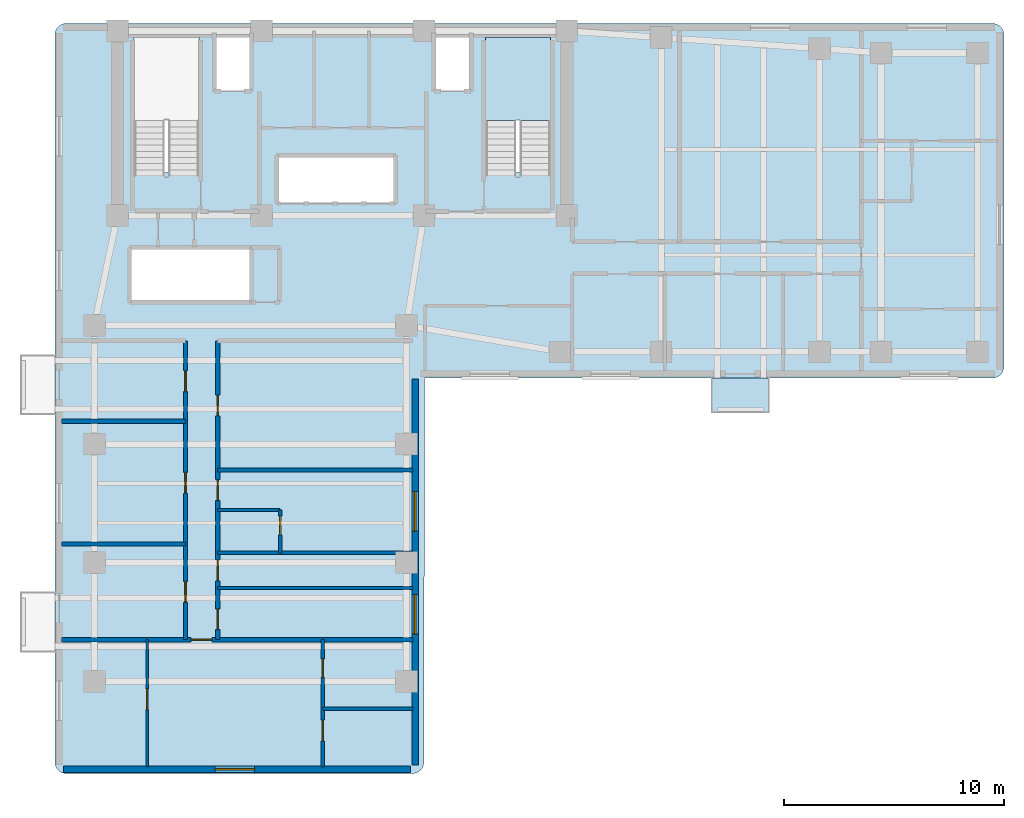
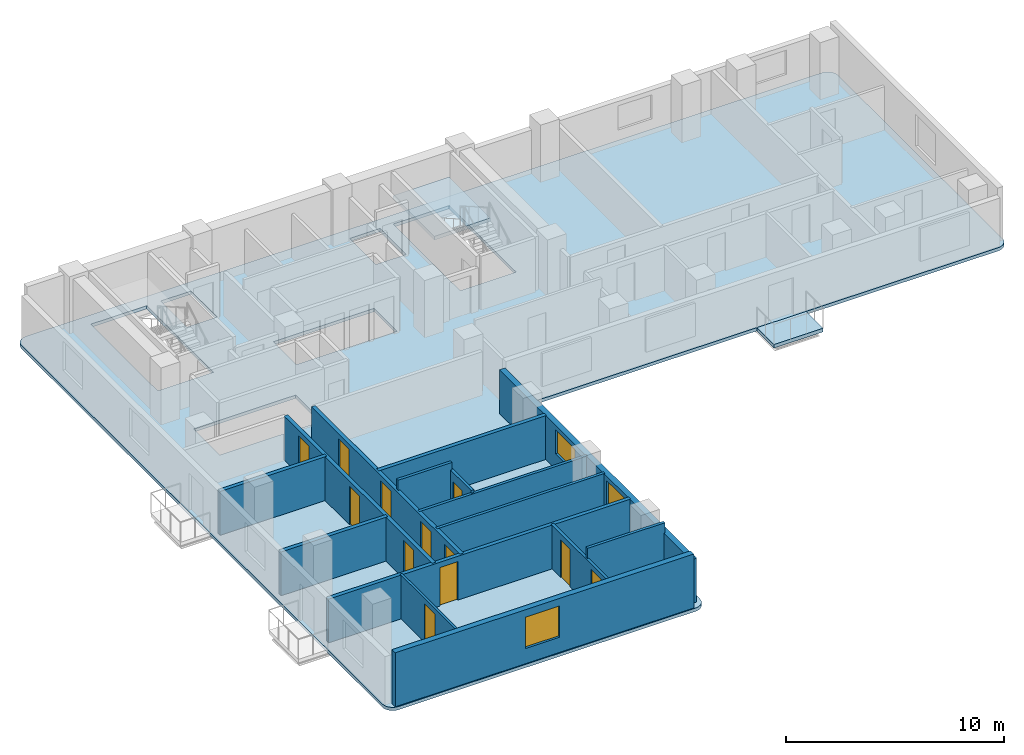
# One storey, part 2 of 7: 15 walls, 12 doors, 3 slabs, 3 windows, 15 openings, 1 element without a shape of its own.
"""IFC4 building model written with IfcOpenShell, lengths in metres."""

import ifcopenshell
import ifcopenshell.guid

model = None  # the IFC model being written
_history = None  # IfcOwnerHistory: only IFC2X3 demands one
_inside = {}  # id of a spatial element -> (the spatial element, [elements in it])
_under = {}  # id of a project, library or spatial element -> (it, [spatial elements below it])
_declared = {}  # id of a project -> (the project, [libraries it declares])
_typed = {}  # id of a type object -> (the type object, [elements of that type])
_made_of = {}  # id of a material, layer set ... -> (it, [elements and type objects made of it])


def new_model(schema):
    """Start an empty IFC model of exactly this schema.

    Asked for "IFC4X3", IfcOpenShell would pick the latest addendum, in which some entities
    have other attributes; the version numbers below select the first issue.
    IFC2X3 requires an IfcOwnerHistory on every rooted entity: one is made here for all.
    """
    global model, _history
    if schema == "IFC4X3":
        model = ifcopenshell.file(schema_version=(4, 3, 0, 0))
    else:
        model = ifcopenshell.file(schema=schema)
    _inside.clear()
    _under.clear()
    _declared.clear()
    _typed.clear()
    _made_of.clear()
    _history = None
    if model.schema == "IFC2X3":
        org = make("IfcOrganization", Name="unknown")
        user = make(
            "IfcPersonAndOrganization",
            ThePerson=make("IfcPerson", FamilyName="unknown"),
            TheOrganization=org,
        )
        app = make(
            "IfcApplication",
            ApplicationDeveloper=org,
            Version="unknown",
            ApplicationFullName="unknown",
            ApplicationIdentifier="unknown",
        )
        _history = make(
            "IfcOwnerHistory",
            OwningUser=user,
            OwningApplication=app,
            ChangeAction="ADDED",
            CreationDate=0,
        )
    return model


def make(cls, **values):
    """One entity of the class cls with the attributes given. An attribute that is None is left unset."""
    return model.create_entity(
        cls, **{name: value for name, value in values.items() if value is not None}
    )


def rooted(cls, **values):
    """An entity with a GlobalId (a new one), such as an element, a storey or a relation."""
    return make(cls, GlobalId=ifcopenshell.guid.new(), OwnerHistory=_history, **values)


def si_unit(unit_type, name, prefix=None):
    """IfcSIUnit, for example si_unit("LENGTHUNIT", "METRE", prefix="MILLI")."""
    return make("IfcSIUnit", UnitType=unit_type, Prefix=prefix, Name=name)


def assignment(units):
    """IfcUnitAssignment: the units of a project."""
    return None if units is None else make("IfcUnitAssignment", Units=units)


def point(xyz):
    """IfcCartesianPoint."""
    return None if xyz is None else make("IfcCartesianPoint", Coordinates=xyz)


def direction(xyz):
    """IfcDirection."""
    return None if xyz is None else make("IfcDirection", DirectionRatios=xyz)


def frame(location, z_axis=None, x_axis=None):
    """IfcAxis2Placement3D, a coordinate frame: its origin and axes. An axis left out is left unset."""
    return make(
        "IfcAxis2Placement3D",
        Location=point(location),
        Axis=direction(z_axis),
        RefDirection=direction(x_axis),
    )


def frame_2d(location, x_axis=None):
    """IfcAxis2Placement2D, a coordinate frame in the plane: its origin and x axis."""
    return make(
        "IfcAxis2Placement2D", Location=point(location), RefDirection=direction(x_axis)
    )


def origin():
    """The frame at (0, 0, 0) with its axes left unset."""
    return frame((0.0, 0.0, 0.0))


def place(relative_to, where):
    """IfcLocalPlacement: puts the frame where relative to a parent placement (None: the world)."""
    return make(
        "IfcLocalPlacement", PlacementRelTo=relative_to, RelativePlacement=where
    )


def context(
    kind, dimensions, precision=None, world=None, true_north=None, identifier=None
):
    """IfcGeometricRepresentationContext, for example the 3D "Model" context."""
    return make(
        "IfcGeometricRepresentationContext",
        ContextIdentifier=identifier,
        ContextType=kind,
        CoordinateSpaceDimension=dimensions,
        Precision=precision,
        WorldCoordinateSystem=world,
        TrueNorth=true_north,
    )


def subcontext(parent, identifier, kind, view, scale=None):
    """IfcGeometricRepresentationSubContext, for example "Body" below "Model"."""
    return make(
        "IfcGeometricRepresentationSubContext",
        ContextIdentifier=identifier,
        ContextType=kind,
        ParentContext=parent,
        TargetScale=scale,
        TargetView=view,
    )


def project(units=None, contexts=None):
    """IfcProject with its units and contexts."""
    return rooted(
        "IfcProject",
        Name="project",
        RepresentationContexts=contexts,
        UnitsInContext=assignment(units),
    )


def spatial(cls, under=None, at=None, **own):
    """A site, building, storey or space (cls), placed at a placement, below another one or the project."""
    s = rooted(cls, ObjectPlacement=at, **own)
    if under is not None:
        _under.setdefault(under.id(), (under, []))[1].append(s)
    return s


def polyline(points):
    """IfcPolyline through the points."""
    return make("IfcPolyline", Points=[point(p) for p in points])


def profile(cls, at=None, kind="AREA", **sizes):
    """A parametric profile (cls). Its sizes go by their IFC names, for example OverallWidth=200.0."""
    return make(cls, ProfileType=kind, Position=at, **sizes)


def rectangle(**sizes):
    """IfcRectangleProfileDef."""
    return profile("IfcRectangleProfileDef", **sizes)


def outline(outer, holes=None, kind="AREA"):
    """IfcArbitraryClosedProfileDef: a profile drawn as a closed curve; with holes, ...WithVoids."""
    if holes is None:
        return make("IfcArbitraryClosedProfileDef", ProfileType=kind, OuterCurve=outer)
    return make(
        "IfcArbitraryProfileDefWithVoids",
        ProfileType=kind,
        OuterCurve=outer,
        InnerCurves=holes,
    )


def extrude(swept, where, along, depth):
    """IfcExtrudedAreaSolid: the profile swept, set in the frame where, extruded along a direction by depth."""
    return make(
        "IfcExtrudedAreaSolid",
        SweptArea=swept,
        Position=where,
        ExtrudedDirection=direction(along),
        Depth=depth,
    )


def shape(context_of_items, identifier, shape_type, items):
    """IfcShapeRepresentation: the items that make up one representation, for example the "Body"."""
    return make(
        "IfcShapeRepresentation",
        ContextOfItems=context_of_items,
        RepresentationIdentifier=identifier,
        RepresentationType=shape_type,
        Items=items,
    )


def material(Name=None, Category=None):
    """IfcMaterial."""
    return make("IfcMaterial", Name=Name, Category=Category)


def layer(
    of_material, thickness, ventilated=None, Name=None, Category=None, Priority=None
):
    """IfcMaterialLayer: one layer of a wall or slab, of a material (None: an air gap)."""
    return make(
        "IfcMaterialLayer",
        Material=of_material,
        LayerThickness=thickness,
        IsVentilated=ventilated,
        Name=Name,
        Category=Category,
        Priority=Priority,
    )


def layer_set(layers, Name=None):
    """IfcMaterialLayerSet."""
    return make("IfcMaterialLayerSet", MaterialLayers=layers, LayerSetName=Name)


def made_of(thing, what):
    """Note that an element or type object is made of a material, layer set ...; save() writes the relation."""
    if what is not None:
        _made_of.setdefault(what.id(), (what, []))[1].append(thing)
    return thing


def type_object(cls, material=None, **own):
    """A type object (cls), such as IfcWallType, which elements share."""
    return made_of(rooted(cls, **own), material)


def element(
    cls,
    number,
    at=None,
    inside=None,
    cuts=None,
    type_object=None,
    material=None,
    context=None,
    identifier="Body",
    shape_type=None,
    held_by="IfcProductDefinitionShape",
    body=None,
    shapes=None,
    **own,
):
    """One element of the class cls, such as IfcWall. Its Tag is "e" and its number.

    at: its placement. inside: the storey or other place that contains it. cuts: it is an
    opening in that element (IfcRelVoidsElement). A single representation is given by context,
    identifier, shape_type and body (its items); several are given by shapes. held_by: the class
    of the entity that holds the representations. save() writes the other relations.
    """
    e = rooted(cls, Tag="e%d" % number, ObjectPlacement=at, **own)
    if body is not None:
        shapes = [shape(context, identifier, shape_type, body)]
    if shapes is not None:
        e.Representation = make(held_by, Representations=shapes)
    if inside is not None:
        _inside.setdefault(inside.id(), (inside, []))[1].append(e)
    if cuts is not None:
        rooted(
            "IfcRelVoidsElement", RelatingBuildingElement=cuts, RelatedOpeningElement=e
        )
    if type_object is not None:
        _typed.setdefault(type_object.id(), (type_object, []))[1].append(e)
    return made_of(e, material)


def fill(opening, filler):
    """IfcRelFillsElement: the door or window that sits in an opening."""
    return rooted(
        "IfcRelFillsElement",
        RelatingOpeningElement=opening,
        RelatedBuildingElement=filler,
    )


def aggregate(whole, parts):
    """IfcRelAggregates: a whole, such as a stair, and the parts it consists of."""
    return rooted("IfcRelAggregates", RelatingObject=whole, RelatedObjects=parts)


def save(model, path):
    """Write the relations noted so far, then the file.

    IfcRelAggregates (storeys below a building ...), IfcRelContainedInSpatialStructure (elements
    in a storey), IfcRelDefinesByType, IfcRelAssociatesMaterial and IfcRelDeclares: one each for
    every whole, place, type object, material and project.
    """
    for whole, parts in _under.values():
        aggregate(whole, parts)
    for where, things in _inside.values():
        rooted(
            "IfcRelContainedInSpatialStructure",
            RelatedElements=things,
            RelatingStructure=where,
        )
    for kind, things in _typed.values():
        rooted("IfcRelDefinesByType", RelatedObjects=things, RelatingType=kind)
    for what, things in _made_of.values():
        rooted("IfcRelAssociatesMaterial", RelatedObjects=things, RelatingMaterial=what)
    for by, libraries in _declared.values():
        rooted("IfcRelDeclares", RelatingContext=by, RelatedDefinitions=libraries)
    model.write(path)


model = new_model("IFC4")

# Units and contexts
model_context = context("Model", 3, precision=1e-05, world=origin(), true_north=direction((0.0, 1.0)))
body_context = subcontext(model_context, "Body", "Model", "MODEL_VIEW")
ifc_project = project(units=[si_unit("LENGTHUNIT", "METRE"), si_unit("AREAUNIT", "SQUARE_METRE"), si_unit("VOLUMEUNIT", "CUBIC_METRE"), si_unit("PLANEANGLEUNIT", "RADIAN"), si_unit("MASSUNIT", "GRAM", prefix="KILO")], contexts=[model_context])

# Site, building, storey
site_placement = place(None, origin())
site = spatial("IfcSite", under=ifc_project, at=site_placement, CompositionType="ELEMENT")
building_placement = place(site_placement, origin())
building = spatial("IfcBuilding", under=site, at=building_placement, Name="Kuzgunbayir Cultural Tower", CompositionType="ELEMENT")
storey_placement = place(building_placement, frame((0.0, 0.0, 142.60009765625)))
storey = spatial("IfcBuildingStorey", under=building, at=storey_placement, Name="L41", CompositionType="ELEMENT", Elevation=142.60009765625)

# Slab
ifc_material_1 = material(Name="Concrete C40/50", Category="concrete")
ifc_layer_1 = layer(ifc_material_1, 0.199951171875)
ifc_layer_set_1 = layer_set([ifc_layer_1], Name="Concrete C40/50")
slab_type_1 = type_object("IfcSlabType", Name="SLB-BAL-STONE", PredefinedType="FLOOR", material=ifc_layer_set_1)
slab_1_placement = place(storey_placement, frame((0.0, 0.0, -0.2001953125)))
element("IfcSlab", 1, at=slab_1_placement, inside=storey, type_object=slab_type_1, Name="L41 Projecting Limestone Balcony BAL-L41-WB2", PredefinedType="FLOOR", context=body_context, shape_type="SweptSolid", body=[
    extrude(outline(polyline([(33.5, 24.840087890625), (36.10009765625, 24.840087890625), (36.10009765625, 26.39990234375), (33.5, 26.39990234375), (33.5, 24.840087890625)])), origin(), (0.0, 0.0, 1.0), 0.2001953125),
])

# Stair, slab
stair_type = type_object("IfcStairType", Name="STR-EXIT-CORE", PredefinedType="HALF_TURN_STAIR", material=ifc_material_1)
stair_placement = place(storey_placement, origin())
stair = element("IfcStair", 2, at=stair_placement, inside=storey, type_object=stair_type, Name="L41 ST-2", PredefinedType="HALF_TURN_STAIR")
ifc_layer_2 = layer(ifc_material_1, 0.179931640625)
ifc_layer_set_2 = layer_set([ifc_layer_2], Name="Concrete C40/50")
slab_type_2 = type_object("IfcSlabType", Name="SLB-LANDING-180", PredefinedType="LANDING", material=ifc_layer_set_2)
slab_2_placement = place(storey_placement, frame((0.0, 0.0, 1.39990234375)))
slab_2 = element("IfcSlab", 3, at=slab_2_placement, type_object=slab_type_2, Name="ST-2 landing 1", PredefinedType="LANDING", context=body_context, shape_type="SweptSolid", body=[
    extrude(outline(polyline([(26.159912109375, 38.1201171875), (26.159912109375, 41.89990234375), (23.199951171875, 41.89990234375), (23.199951171875, 38.1201171875), (26.159912109375, 38.1201171875)])), origin(), (0.0, 0.0, 1.0), 0.199951171875),
])
aggregate(stair, [slab_2])

# Slab
ifc_layer_3 = layer(ifc_material_1, 0.179931640625)
ifc_layer_set_3 = layer_set([ifc_layer_3], Name="Concrete C40/50")
slab_type_3 = type_object("IfcSlabType", Name="SLB-TYP-180", PredefinedType="FLOOR", material=ifc_layer_set_3)
slab_3_placement = place(storey_placement, frame((0.0, 0.0, -0.18017578125)))
element("IfcSlab", 4, at=slab_3_placement, inside=storey, type_object=slab_type_3, Name="L41 Tower 1 Floor Slab T1-MAIN", PredefinedType="FLOOR", context=body_context, shape_type="SweptSolid", body=[
    extrude(outline(polyline([(20.39990234375, 8.949951171875), (20.389892578125, 8.840087890625), (20.360107421875, 8.739990234375), (20.31005859375, 8.639892578125), (20.239990234375, 8.56005859375), (20.159912109375, 8.489990234375), (20.06005859375, 8.43994140625), (19.9599609375, 8.409912109375), (19.85009765625, 8.39990234375), (4.14990234375, 8.39990234375), (4.0400390625, 8.409912109375), (3.93994140625, 8.43994140625), (3.840087890625, 8.489990234375), (3.760009765625, 8.56005859375), (3.68994140625, 8.639892578125), (3.639892578125, 8.739990234375), (3.610107421875, 8.840087890625), (3.60009765625, 8.949951171875), (3.60009765625, 42.0), (3.610107421875, 42.110107421875), (3.639892578125, 42.2099609375), (3.68994140625, 42.31005859375), (3.760009765625, 42.389892578125), (3.840087890625, 42.4599609375), (3.93994140625, 42.510009765625), (4.0400390625, 42.5400390625), (4.14990234375, 42.550048828125), (46.25, 42.550048828125), (46.360107421875, 42.5400390625), (46.4599609375, 42.510009765625), (46.56005859375, 42.4599609375), (46.639892578125, 42.389892578125), (46.7099609375, 42.31005859375), (46.760009765625, 42.2099609375), (46.7900390625, 42.110107421875), (46.800048828125, 42.0), (46.800048828125, 26.949951171875), (46.7900390625, 26.840087890625), (46.760009765625, 26.739990234375), (46.7099609375, 26.639892578125), (46.639892578125, 26.56005859375), (46.56005859375, 26.489990234375), (46.4599609375, 26.43994140625), (46.360107421875, 26.409912109375), (46.25, 26.39990234375), (20.429931640625, 26.39990234375), (20.39990234375, 8.949951171875)]), holes=[polyline([(7.199951171875, 35.760009765625), (7.199951171875, 41.89990234375), (10.159912109375, 41.89990234375), (10.159912109375, 35.760009765625), (7.199951171875, 35.760009765625)]), polyline([(23.199951171875, 35.760009765625), (23.199951171875, 41.89990234375), (26.159912109375, 41.89990234375), (26.159912109375, 35.760009765625), (23.199951171875, 35.760009765625)]), polyline([(13.75, 34.39990234375), (13.75, 36.5), (19.080078125, 36.5), (19.080078125, 34.39990234375), (13.75, 34.39990234375)]), polyline([(7.10009765625, 29.89990234375), (7.10009765625, 32.300048828125), (12.5, 32.300048828125), (12.5, 29.89990234375), (7.10009765625, 29.89990234375)]), polyline([(10.89990234375, 39.5), (10.89990234375, 41.89990234375), (12.5, 41.89990234375), (12.5, 39.5), (10.89990234375, 39.5)]), polyline([(20.89990234375, 39.5), (20.89990234375, 41.89990234375), (22.5, 41.89990234375), (22.5, 39.5), (20.89990234375, 39.5)])]), origin(), (0.0, 0.0, 1.0), 0.18017578125),
])

# Wall, opening, window
ifc_material_2 = material(Name="Anatolian Cream Limestone", Category="masonry")
ifc_layer_4 = layer(ifc_material_2, 0.300048828125)
ifc_layer_set_4 = layer_set([ifc_layer_4], Name="Anatolian Cream Limestone")
wall_type_1 = type_object("IfcWallType", Name="WAL-EXT-STONE-300", PredefinedType="STANDARD", material=ifc_layer_set_4)
wall_1_placement = place(storey_placement, frame((4.0, 8.60009765625, 0.0), z_axis=(0.0, 0.0, 1.0), x_axis=(1.0, 0.0, 0.0)))
wall_1 = element("IfcWall", 5, at=wall_1_placement, inside=storey, type_object=wall_type_1, Name="L41 Wing A South Limestone Wall", PredefinedType="STANDARD", context=body_context, shape_type="SweptSolid", body=[
    extrude(rectangle(XDim=15.800048828125, YDim=0.300048828125, at=frame_2d((7.89990234375, 0.0))), origin(), (0.0, 0.0, 1.0), 3.02001953125),
])
opening_1_placement = place(wall_1_placement, frame((6.89990234375, 0.0, 0.85009765625)))
opening_1 = element("IfcOpeningElement", 6, at=opening_1_placement, cuts=wall_1, Name="Opening WH-18", PredefinedType="OPENING", context=body_context, shape_type="SweptSolid", body=[
    extrude(rectangle(XDim=1.800048828125, YDim=1.75, at=frame_2d((0.89990234375, 0.875))), frame((0.0, 0.16015625, 0.0), z_axis=(0.0, -1.0, 0.0), x_axis=(1.0, 0.0, 0.0)), (0.0, 0.0, 1.0), 0.320068359375),
])
ifc_material_3 = material(Name="Solar-Control Triple Glazing", Category="glass")
window_type = type_object("IfcWindowType", Name="WIN-HOTEL-18", PartitioningType="SINGLE_PANEL", PredefinedType="WINDOW", material=ifc_material_3)
window_1_placement = place(opening_1_placement, origin())
window_1 = element("IfcWindow", 7, at=window_1_placement, inside=storey, type_object=window_type, Name="L41 WAS Facade Window 2", OverallHeight=1.75, OverallWidth=1.800048828125, PartitioningType="SINGLE_PANEL", PredefinedType="WINDOW", context=body_context, shape_type="SweptSolid", body=[
    extrude(rectangle(XDim=1.800048828125, YDim=1.75, at=frame_2d((0.89990234375, 0.875))), frame((0.0, 0.030029296875, 0.0), z_axis=(0.0, -1.0, 0.0), x_axis=(1.0, 0.0, 0.0)), (0.0, 0.0, 1.0), 0.06005859375),
])
fill(opening_1, window_1)

# Wall, openings, windows
wall_2_placement = place(storey_placement, frame((20.0, 8.800048828125, 0.0), z_axis=(0.0, 0.0, 1.0), x_axis=(0.0, 1.0, 0.0)))
wall_2 = element("IfcWall", 8, at=wall_2_placement, inside=storey, type_object=wall_type_1, Name="L41 Wing A East Limestone Wall", PredefinedType="STANDARD", context=body_context, shape_type="SweptSolid", body=[
    extrude(rectangle(XDim=17.550048828125, YDim=0.300048828125, at=frame_2d((8.77490234375, 0.0))), origin(), (0.0, 0.0, 1.0), 2.449951171875),
])
opening_2_placement = place(wall_2_placement, frame((10.639892578125, 0.0, 0.85009765625)))
opening_2 = element("IfcOpeningElement", 9, at=opening_2_placement, cuts=wall_2, Name="Opening WH-18", PredefinedType="OPENING", context=body_context, shape_type="SweptSolid", body=[
    extrude(rectangle(XDim=1.800048828125, YDim=1.35009765625, at=frame_2d((0.89990234375, 0.675048828125))), frame((0.0, 0.16015625, 0.0), z_axis=(0.0, -1.0, 0.0), x_axis=(1.0, 0.0, 0.0)), (0.0, 0.0, 1.0), 0.320068359375),
])
opening_3_placement = place(wall_2_placement, frame((5.949951171875, 0.0, 0.85009765625)))
opening_3 = element("IfcOpeningElement", 10, at=opening_3_placement, cuts=wall_2, Name="Opening WH-18", PredefinedType="OPENING", context=body_context, shape_type="SweptSolid", body=[
    extrude(rectangle(XDim=1.800048828125, YDim=1.35009765625, at=frame_2d((0.89990234375, 0.675048828125))), frame((0.0, 0.16015625, 0.0), z_axis=(0.0, -1.0, 0.0), x_axis=(1.0, 0.0, 0.0)), (0.0, 0.0, 1.0), 0.320068359375),
])
window_2_placement = place(opening_2_placement, origin())
window_2 = element("IfcWindow", 11, at=window_2_placement, inside=storey, type_object=window_type, Name="L41 WAE Facade Window 3", OverallHeight=1.35009765625, OverallWidth=1.800048828125, PartitioningType="SINGLE_PANEL", PredefinedType="WINDOW", context=body_context, shape_type="SweptSolid", body=[
    extrude(rectangle(XDim=1.800048828125, YDim=1.35009765625, at=frame_2d((0.89990234375, 0.675048828125))), frame((0.0, 0.030029296875, 0.0), z_axis=(0.0, -1.0, 0.0), x_axis=(1.0, 0.0, 0.0)), (0.0, 0.0, 1.0), 0.06005859375),
])
fill(opening_2, window_2)
window_3_placement = place(opening_3_placement, origin())
window_3 = element("IfcWindow", 12, at=window_3_placement, inside=storey, type_object=window_type, Name="L41 WAE Facade Window 10", OverallHeight=1.35009765625, OverallWidth=1.800048828125, PartitioningType="SINGLE_PANEL", PredefinedType="WINDOW", context=body_context, shape_type="SweptSolid", body=[
    extrude(rectangle(XDim=1.800048828125, YDim=1.35009765625, at=frame_2d((0.89990234375, 0.675048828125))), frame((0.0, 0.030029296875, 0.0), z_axis=(0.0, -1.0, 0.0), x_axis=(1.0, 0.0, 0.0)), (0.0, 0.0, 1.0), 0.06005859375),
])
fill(opening_3, window_3)

# Wall
ifc_material_4 = material(Name="Acoustic Double-Stud Drywall", Category="gypsum")
ifc_layer_5 = layer(ifc_material_4, 0.14990234375)
ifc_layer_set_5 = layer_set([ifc_layer_5], Name="Acoustic Double-Stud Drywall")
wall_type_2 = type_object("IfcWallType", Name="WAL-PART-ACOUSTIC-150", PredefinedType="PARTITIONING", material=ifc_layer_set_5)
wall_3_placement = place(storey_placement, frame((11.010009765625, 16.85009765625, 0.0), z_axis=(0.0, 0.0, 1.0), x_axis=(1.0, 0.0, 0.0)))
element("IfcWall", 13, at=wall_3_placement, inside=storey, type_object=wall_type_2, Name="L41 Housekeeping North Wall", PredefinedType="PARTITIONING", context=body_context, shape_type="SweptSolid", body=[
    extrude(rectangle(XDim=8.889892578125, YDim=0.14990234375, at=frame_2d((4.44482421875, 0.0))), origin(), (0.0, 0.0, 1.0), 2.449951171875),
])

# Wall, openings, doors
ifc_material_5 = material(Name="Aerated Concrete Blockwork", Category="masonry")
ifc_layer_6 = layer(ifc_material_5, 0.199951171875)
ifc_layer_set_6 = layer_set([ifc_layer_6], Name="Aerated Concrete Blockwork")
wall_type_3 = type_object("IfcWallType", Name="WAL-PART-FIRE-200", PredefinedType="PARTITIONING", material=ifc_layer_set_6)
wall_4_placement = place(storey_placement, frame((9.550048828125, 14.5, 0.0), z_axis=(0.0, 0.0, 1.0), x_axis=(0.0, 1.0, 0.0)))
wall_4 = element("IfcWall", 14, at=wall_4_placement, inside=storey, type_object=wall_type_3, Name="L41 Wing A West Corridor Wall", PredefinedType="PARTITIONING", context=body_context, shape_type="SweptSolid", body=[
    extrude(rectangle(XDim=13.60009765625, YDim=0.199951171875, at=frame_2d((6.800048828125, 0.0))), origin(), (0.0, 0.0, 1.0), 2.449951171875),
])
opening_4_placement = place(wall_4_placement, frame((1.699951171875, 0.0, 0.0)))
opening_4 = element("IfcOpeningElement", 15, at=opening_4_placement, cuts=wall_4, Name="Opening DI-90", PredefinedType="OPENING", context=body_context, shape_type="SweptSolid", body=[
    extrude(rectangle(XDim=0.949951171875, YDim=2.14990234375, at=frame_2d((0.47509765625, 1.074951171875))), frame((0.0, 0.10986328125, 0.0), z_axis=(0.0, -1.0, 0.0), x_axis=(1.0, 0.0, 0.0)), (0.0, 0.0, 1.0), 0.219970703125),
])
opening_5_placement = place(wall_4_placement, frame((6.659912109375, 0.0, 0.0)))
opening_5 = element("IfcOpeningElement", 16, at=opening_5_placement, cuts=wall_4, Name="Opening DI-90", PredefinedType="OPENING", context=body_context, shape_type="SweptSolid", body=[
    extrude(rectangle(XDim=0.949951171875, YDim=2.14990234375, at=frame_2d((0.47509765625, 1.074951171875))), frame((0.0, 0.10986328125, 0.0), z_axis=(0.0, -1.0, 0.0), x_axis=(1.0, 0.0, 0.0)), (0.0, 0.0, 1.0), 0.219970703125),
])
opening_6_placement = place(wall_4_placement, frame((11.2900390625, 0.0, 0.0)))
opening_6 = element("IfcOpeningElement", 17, at=opening_6_placement, cuts=wall_4, Name="Opening DI-90", PredefinedType="OPENING", context=body_context, shape_type="SweptSolid", body=[
    extrude(rectangle(XDim=0.949951171875, YDim=2.14990234375, at=frame_2d((0.47509765625, 1.074951171875))), frame((0.0, 0.10986328125, 0.0), z_axis=(0.0, -1.0, 0.0), x_axis=(1.0, 0.0, 0.0)), (0.0, 0.0, 1.0), 0.219970703125),
])
ifc_material_6 = material(Name="Veneered Oak Single Leaf", Category="wood")
door_type_1 = type_object("IfcDoorType", Name="DR-INT-90", OperationType="NOTDEFINED", PredefinedType="DOOR", material=ifc_material_6)
door_1_placement = place(opening_4_placement, origin())
door_1 = element("IfcDoor", 18, at=door_1_placement, inside=storey, type_object=door_type_1, Name="L41 Fellows Reading Lounge 1 Door", OperationType="SINGLE_SWING_RIGHT", OverallHeight=2.14990234375, OverallWidth=0.949951171875, PredefinedType="DOOR", context=body_context, shape_type="SweptSolid", body=[
    extrude(rectangle(XDim=0.949951171875, YDim=2.14990234375, at=frame_2d((0.47509765625, 1.074951171875))), frame((0.0, 0.02490234375, 0.0), z_axis=(0.0, -1.0, 0.0), x_axis=(1.0, 0.0, 0.0)), (0.0, 0.0, 1.0), 0.050048828125),
])
fill(opening_4, door_1)
door_2_placement = place(opening_5_placement, origin())
door_2 = element("IfcDoor", 19, at=door_2_placement, inside=storey, type_object=door_type_1, Name="L41 Fellows Reading Lounge 2 Door", OperationType="SINGLE_SWING_LEFT", OverallHeight=2.14990234375, OverallWidth=0.949951171875, PredefinedType="DOOR", context=body_context, shape_type="SweptSolid", body=[
    extrude(rectangle(XDim=0.949951171875, YDim=2.14990234375, at=frame_2d((0.47509765625, 1.074951171875))), frame((0.0, 0.02490234375, 0.0), z_axis=(0.0, -1.0, 0.0), x_axis=(1.0, 0.0, 0.0)), (0.0, 0.0, 1.0), 0.050048828125),
])
fill(opening_5, door_2)
door_3_placement = place(opening_6_placement, origin())
door_3 = element("IfcDoor", 20, at=door_3_placement, inside=storey, type_object=door_type_1, Name="L41 Fellows Reading Lounge 3 Door", OperationType="SINGLE_SWING_RIGHT", OverallHeight=2.14990234375, OverallWidth=0.949951171875, PredefinedType="DOOR", context=body_context, shape_type="SweptSolid", body=[
    extrude(rectangle(XDim=0.949951171875, YDim=2.14990234375, at=frame_2d((0.47509765625, 1.074951171875))), frame((0.0, 0.02490234375, 0.0), z_axis=(0.0, -1.0, 0.0), x_axis=(1.0, 0.0, 0.0)), (0.0, 0.0, 1.0), 0.050048828125),
])
fill(opening_6, door_3)

wall_5_placement = place(storey_placement, frame((11.010009765625, 14.5, 0.0), z_axis=(0.0, 0.0, 1.0), x_axis=(0.0, 1.0, 0.0)))
wall_5 = element("IfcWall", 21, at=wall_5_placement, inside=storey, type_object=wall_type_3, Name="L41 Wing A East Corridor Wall", PredefinedType="PARTITIONING", context=body_context, shape_type="SweptSolid", body=[
    extrude(rectangle(XDim=13.60009765625, YDim=0.199951171875, at=frame_2d((6.800048828125, 0.0))), origin(), (0.0, 0.0, 1.0), 2.449951171875),
])
opening_7_placement = place(wall_5_placement, frame((0.449951171875, 0.0, 0.0)))
opening_7 = element("IfcOpeningElement", 22, at=opening_7_placement, cuts=wall_5, Name="Opening DI-90", PredefinedType="OPENING", context=body_context, shape_type="SweptSolid", body=[
    extrude(rectangle(XDim=0.949951171875, YDim=2.14990234375, at=frame_2d((0.47509765625, 1.074951171875))), frame((0.0, 0.10986328125, 0.0), z_axis=(0.0, -1.0, 0.0), x_axis=(1.0, 0.0, 0.0)), (0.0, 0.0, 1.0), 0.219970703125),
])
opening_8_placement = place(wall_5_placement, frame((2.669921875, 0.0, 0.0)))
opening_8 = element("IfcOpeningElement", 23, at=opening_8_placement, cuts=wall_5, Name="Opening DW-95", PredefinedType="OPENING", context=body_context, shape_type="SweptSolid", body=[
    extrude(rectangle(XDim=0.949951171875, YDim=2.10009765625, at=frame_2d((0.47509765625, 1.050048828125))), frame((0.0, 0.10986328125, 0.0), z_axis=(0.0, -1.0, 0.0), x_axis=(1.0, 0.0, 0.0)), (0.0, 0.0, 1.0), 0.219970703125),
])
opening_9_placement = place(wall_5_placement, frame((10.179931640625, 0.0, 0.0)))
opening_9 = element("IfcOpeningElement", 24, at=opening_9_placement, cuts=wall_5, Name="Opening DI-90", PredefinedType="OPENING", context=body_context, shape_type="SweptSolid", body=[
    extrude(rectangle(XDim=0.949951171875, YDim=2.14990234375, at=frame_2d((0.47509765625, 1.074951171875))), frame((0.0, 0.10986328125, 0.0), z_axis=(0.0, -1.0, 0.0), x_axis=(1.0, 0.0, 0.0)), (0.0, 0.0, 1.0), 0.219970703125),
])
opening_10_placement = place(wall_5_placement, frame((6.330078125, 0.0, 0.0)))
opening_10 = element("IfcOpeningElement", 25, at=opening_10_placement, cuts=wall_5, Name="Opening DR-APT-60", PredefinedType="OPENING", context=body_context, shape_type="SweptSolid", body=[
    extrude(rectangle(XDim=0.949951171875, YDim=2.14990234375, at=frame_2d((0.47509765625, 1.074951171875))), frame((0.0, 0.10986328125, 0.0), z_axis=(0.0, -1.0, 0.0), x_axis=(1.0, 0.0, 0.0)), (0.0, 0.0, 1.0), 0.219970703125),
])
ifc_material_7 = material(Name="Acoustic Fire Timber Leaf", Category="wood")
door_type_2 = type_object("IfcDoorType", Name="DR-APT-60", OperationType="NOTDEFINED", PredefinedType="DOOR", material=ifc_material_7)
door_4_placement = place(opening_10_placement, origin())
door_4 = element("IfcDoor", 26, at=door_4_placement, inside=storey, type_object=door_type_2, Name="L41 Guest Suite E1 Entrance", OperationType="SINGLE_SWING_LEFT", OverallHeight=2.14990234375, OverallWidth=0.949951171875, PredefinedType="DOOR", context=body_context, shape_type="SweptSolid", body=[
    extrude(rectangle(XDim=0.949951171875, YDim=2.14990234375, at=frame_2d((0.47509765625, 1.074951171875))), frame((0.0, 0.02490234375, 0.0), z_axis=(0.0, -1.0, 0.0), x_axis=(1.0, 0.0, 0.0)), (0.0, 0.0, 1.0), 0.050048828125),
])
fill(opening_10, door_4)
door_5_placement = place(opening_7_placement, origin())
door_5 = element("IfcDoor", 27, at=door_5_placement, inside=storey, type_object=door_type_1, Name="L41 Housekeeping Room Door", OperationType="SINGLE_SWING_LEFT", OverallHeight=2.14990234375, OverallWidth=0.949951171875, PredefinedType="DOOR", context=body_context, shape_type="SweptSolid", body=[
    extrude(rectangle(XDim=0.949951171875, YDim=2.14990234375, at=frame_2d((0.47509765625, 1.074951171875))), frame((0.0, 0.02490234375, 0.0), z_axis=(0.0, -1.0, 0.0), x_axis=(1.0, 0.0, 0.0)), (0.0, 0.0, 1.0), 0.050048828125),
])
fill(opening_7, door_5)
door_6_placement = place(opening_9_placement, origin())
door_6 = element("IfcDoor", 28, at=door_6_placement, inside=storey, type_object=door_type_1, Name="L41 Fellows Reading Lounge E1 Door", OperationType="SINGLE_SWING_LEFT", OverallHeight=2.14990234375, OverallWidth=0.949951171875, PredefinedType="DOOR", context=body_context, shape_type="SweptSolid", body=[
    extrude(rectangle(XDim=0.949951171875, YDim=2.14990234375, at=frame_2d((0.47509765625, 1.074951171875))), frame((0.0, 0.02490234375, 0.0), z_axis=(0.0, -1.0, 0.0), x_axis=(1.0, 0.0, 0.0)), (0.0, 0.0, 1.0), 0.050048828125),
])
fill(opening_9, door_6)
ifc_material_8 = material(Name="Laminate Moisture-Resistant Leaf", Category="wood")
door_type_3 = type_object("IfcDoorType", Name="DR-WET-95", OperationType="NOTDEFINED", PredefinedType="DOOR", material=ifc_material_8)
door_7_placement = place(opening_8_placement, origin())
door_7 = element("IfcDoor", 29, at=door_7_placement, inside=storey, type_object=door_type_3, Name="L41 Accessible WC Door", OperationType="SINGLE_SWING_RIGHT", OverallHeight=2.10009765625, OverallWidth=0.949951171875, PredefinedType="DOOR", context=body_context, shape_type="SweptSolid", body=[
    extrude(rectangle(XDim=0.949951171875, YDim=2.10009765625, at=frame_2d((0.47509765625, 1.050048828125))), frame((0.0, 0.02490234375, 0.0), z_axis=(0.0, -1.0, 0.0), x_axis=(1.0, 0.0, 0.0)), (0.0, 0.0, 1.0), 0.050048828125),
])
fill(opening_8, door_7)

# Wall, opening, door
wall_6_placement = place(storey_placement, frame((3.89990234375, 14.5, 0.0), z_axis=(0.0, 0.0, 1.0), x_axis=(1.0, 0.0, 0.0)))
wall_6 = element("IfcWall", 30, at=wall_6_placement, inside=storey, type_object=wall_type_3, Name="L41 South Cross Partition", PredefinedType="PARTITIONING", context=body_context, shape_type="SweptSolid", body=[
    extrude(rectangle(XDim=16.0, YDim=0.199951171875, at=frame_2d((8.0, 0.0))), origin(), (0.0, 0.0, 1.0), 2.449951171875),
])
opening_11_placement = place(wall_6_placement, frame((5.89990234375, 0.0, 0.0)))
opening_11 = element("IfcOpeningElement", 31, at=opening_11_placement, cuts=wall_6, Name="Opening DR-APT-60", PredefinedType="OPENING", context=body_context, shape_type="SweptSolid", body=[
    extrude(rectangle(XDim=0.949951171875, YDim=2.14990234375, at=frame_2d((0.47509765625, 1.074951171875))), frame((0.0, 0.10986328125, 0.0), z_axis=(0.0, -1.0, 0.0), x_axis=(1.0, 0.0, 0.0)), (0.0, 0.0, 1.0), 0.219970703125),
])
door_8_placement = place(opening_11_placement, origin())
door_8 = element("IfcDoor", 32, at=door_8_placement, inside=storey, type_object=door_type_2, Name="L41 Diplomatic Suite Entrance", OperationType="SINGLE_SWING_LEFT", OverallHeight=2.14990234375, OverallWidth=0.949951171875, PredefinedType="DOOR", context=body_context, shape_type="SweptSolid", body=[
    extrude(rectangle(XDim=0.949951171875, YDim=2.14990234375, at=frame_2d((0.47509765625, 1.074951171875))), frame((0.0, 0.02490234375, 0.0), z_axis=(0.0, -1.0, 0.0), x_axis=(1.0, 0.0, 0.0)), (0.0, 0.0, 1.0), 0.050048828125),
])
fill(opening_11, door_8)

# Walls
for number, where, z_axis, x_axis, name in (
    (33, (3.89990234375, 18.85009765625, 0.0), (0.0, 0.0, 1.0), (1.0, 0.0, 0.0), "L41 West Party Wall 1"),
    (34, (3.89990234375, 24.429931640625, 0.0), (0.0, 0.0, 1.0), (1.0, 0.0, 0.0), "L41 West Party Wall 2"),
):
    element("IfcWall", number, at=place(storey_placement, frame(where, z_axis=z_axis, x_axis=x_axis)), inside=storey, type_object=wall_type_3, Name=name, PredefinedType="PARTITIONING", context=body_context, shape_type="SweptSolid", body=[
        extrude(rectangle(XDim=5.650146484375, YDim=0.199951171875, at=frame_2d((2.8251953125, 0.0))), origin(), (0.0, 0.0, 1.0), 2.449951171875),
    ])
wall_7_placement = place(storey_placement, frame((11.010009765625, 22.219970703125, 0.0), z_axis=(0.0, 0.0, 1.0), x_axis=(1.0, 0.0, 0.0)))
element("IfcWall", 35, at=wall_7_placement, inside=storey, type_object=wall_type_3, Name="L41 Suite E1 Sub-Party Wall", PredefinedType="PARTITIONING", context=body_context, shape_type="SweptSolid", body=[
    extrude(rectangle(XDim=8.889892578125, YDim=0.199951171875, at=frame_2d((4.44482421875, 0.0))), origin(), (0.0, 0.0, 1.0), 2.449951171875),
])

# Wall, opening, door
ifc_material_9 = material(Name="Framed Gypsum Partition", Category="gypsum")
ifc_layer_7 = layer(ifc_material_9, 0.1201171875)
ifc_layer_set_7 = layer_set([ifc_layer_7], Name="Framed Gypsum Partition")
wall_type_4 = type_object("IfcWallType", Name="WAL-PART-INT-120", PredefinedType="PARTITIONING", material=ifc_layer_set_7)
wall_8_placement = place(storey_placement, frame((7.800048828125, 8.699951171875, 0.0), z_axis=(0.0, 0.0, 1.0), x_axis=(0.0, 1.0, 0.0)))
wall_8 = element("IfcWall", 36, at=wall_8_placement, inside=storey, type_object=wall_type_4, Name="L41 Diplomatic Suite Bedroom Wall", PredefinedType="PARTITIONING", context=body_context, shape_type="SweptSolid", body=[
    extrude(rectangle(XDim=5.800048828125, YDim=0.1201171875, at=frame_2d((2.89990234375, 0.0))), origin(), (0.0, 0.0, 1.0), 2.449951171875),
])
opening_12_placement = place(wall_8_placement, frame((2.610107421875, 0.0, 0.0)))
opening_12 = element("IfcOpeningElement", 37, at=opening_12_placement, cuts=wall_8, Name="Opening DI-90", PredefinedType="OPENING", context=body_context, shape_type="SweptSolid", body=[
    extrude(rectangle(XDim=0.949951171875, YDim=2.14990234375, at=frame_2d((0.47509765625, 1.074951171875))), frame((0.0, 0.070068359375, 0.0), z_axis=(0.0, -1.0, 0.0), x_axis=(1.0, 0.0, 0.0)), (0.0, 0.0, 1.0), 0.14013671875),
])
door_9_placement = place(opening_12_placement, origin())
door_9 = element("IfcDoor", 38, at=door_9_placement, inside=storey, type_object=door_type_1, Name="L41 Diplomatic Bedroom Door", OperationType="SINGLE_SWING_RIGHT", OverallHeight=2.14990234375, OverallWidth=0.949951171875, PredefinedType="DOOR", context=body_context, shape_type="SweptSolid", body=[
    extrude(rectangle(XDim=0.949951171875, YDim=2.14990234375, at=frame_2d((0.47509765625, 1.074951171875))), frame((0.0, 0.02490234375, 0.0), z_axis=(0.0, -1.0, 0.0), x_axis=(1.0, 0.0, 0.0)), (0.0, 0.0, 1.0), 0.050048828125),
])
fill(opening_12, door_9)

# Wall, openings, doors
ifc_material_10 = material(Name="Moisture-Resistant Tile Partition", Category="gypsum")
ifc_layer_8 = layer(ifc_material_10, 0.14990234375)
ifc_layer_set_8 = layer_set([ifc_layer_8], Name="Moisture-Resistant Tile Partition")
wall_type_5 = type_object("IfcWallType", Name="WAL-PART-WET-150", PredefinedType="PARTITIONING", material=ifc_layer_set_8)
wall_9_placement = place(storey_placement, frame((15.800048828125, 8.699951171875, 0.0), z_axis=(0.0, 0.0, 1.0), x_axis=(0.0, 1.0, 0.0)))
wall_9 = element("IfcWall", 39, at=wall_9_placement, inside=storey, type_object=wall_type_5, Name="L41 Diplomatic Suite Service Wall", PredefinedType="PARTITIONING", context=body_context, shape_type="SweptSolid", body=[
    extrude(rectangle(XDim=5.800048828125, YDim=0.14990234375, at=frame_2d((2.89990234375, 0.0))), origin(), (0.0, 0.0, 1.0), 2.449951171875),
])
opening_13_placement = place(wall_9_placement, frame((1.18994140625, 0.0, 0.0)))
opening_13 = element("IfcOpeningElement", 40, at=opening_13_placement, cuts=wall_9, Name="Opening DI-90", PredefinedType="OPENING", context=body_context, shape_type="SweptSolid", body=[
    extrude(rectangle(XDim=0.949951171875, YDim=2.14990234375, at=frame_2d((0.47509765625, 1.074951171875))), frame((0.0, 0.0849609375, 0.0), z_axis=(0.0, -1.0, 0.0), x_axis=(1.0, 0.0, 0.0)), (0.0, 0.0, 1.0), 0.169921875),
])
opening_14_placement = place(wall_9_placement, frame((4.070068359375, 0.0, 0.0)))
opening_14 = element("IfcOpeningElement", 41, at=opening_14_placement, cuts=wall_9, Name="Opening DW-85", PredefinedType="OPENING", context=body_context, shape_type="SweptSolid", body=[
    extrude(rectangle(XDim=0.85009765625, YDim=2.10009765625, at=frame_2d((0.425048828125, 1.050048828125))), frame((0.0, 0.0849609375, 0.0), z_axis=(0.0, -1.0, 0.0), x_axis=(1.0, 0.0, 0.0)), (0.0, 0.0, 1.0), 0.169921875),
])
door_10_placement = place(opening_13_placement, origin())
door_10 = element("IfcDoor", 42, at=door_10_placement, inside=storey, type_object=door_type_1, Name="L41 Diplomatic Kitchen Door", OperationType="SINGLE_SWING_LEFT", OverallHeight=2.14990234375, OverallWidth=0.949951171875, PredefinedType="DOOR", context=body_context, shape_type="SweptSolid", body=[
    extrude(rectangle(XDim=0.949951171875, YDim=2.14990234375, at=frame_2d((0.47509765625, 1.074951171875))), frame((0.0, 0.02490234375, 0.0), z_axis=(0.0, -1.0, 0.0), x_axis=(1.0, 0.0, 0.0)), (0.0, 0.0, 1.0), 0.050048828125),
])
fill(opening_13, door_10)
door_type_4 = type_object("IfcDoorType", Name="DR-WET-85", OperationType="NOTDEFINED", PredefinedType="DOOR", material=ifc_material_8)
door_11_placement = place(opening_14_placement, origin())
door_11 = element("IfcDoor", 43, at=door_11_placement, inside=storey, type_object=door_type_4, Name="L41 Diplomatic Bathroom Door", OperationType="SINGLE_SWING_RIGHT", OverallHeight=2.10009765625, OverallWidth=0.85009765625, PredefinedType="DOOR", context=body_context, shape_type="SweptSolid", body=[
    extrude(rectangle(XDim=0.85009765625, YDim=2.10009765625, at=frame_2d((0.425048828125, 1.050048828125))), frame((0.0, 0.02490234375, 0.0), z_axis=(0.0, -1.0, 0.0), x_axis=(1.0, 0.0, 0.0)), (0.0, 0.0, 1.0), 0.050048828125),
])
fill(opening_14, door_11)

# Walls
wall_10_placement = place(storey_placement, frame((15.800048828125, 11.35009765625, 0.0), z_axis=(0.0, 0.0, 1.0), x_axis=(1.0, 0.0, 0.0)))
element("IfcWall", 44, at=wall_10_placement, inside=storey, type_object=wall_type_5, Name="L41 Diplomatic Suite Bath Kitchen Divider", PredefinedType="PARTITIONING", context=body_context, shape_type="SweptSolid", body=[
    extrude(rectangle(XDim=4.099853515625, YDim=0.14990234375, at=frame_2d((2.0498046875, 0.0))), origin(), (0.0, 0.0, 1.0), 3.02001953125),
])
wall_11_placement = place(storey_placement, frame((11.010009765625, 18.449951171875, 0.0), z_axis=(0.0, 0.0, 1.0), x_axis=(1.0, 0.0, 0.0)))
element("IfcWall", 45, at=wall_11_placement, inside=storey, type_object=wall_type_5, Name="L41 Accessible WC North Wall", PredefinedType="PARTITIONING", context=body_context, shape_type="SweptSolid", body=[
    extrude(rectangle(XDim=8.889892578125, YDim=0.14990234375, at=frame_2d((4.44482421875, 0.0))), origin(), (0.0, 0.0, 1.0), 2.449951171875),
])
wall_12_placement = place(storey_placement, frame((11.010009765625, 20.39990234375, 0.0), z_axis=(0.0, 0.0, 1.0), x_axis=(1.0, 0.0, 0.0)))
element("IfcWall", 46, at=wall_12_placement, inside=storey, type_object=wall_type_5, Name="L41 Suite E1 En-Suite North Wall", PredefinedType="PARTITIONING", context=body_context, shape_type="SweptSolid", body=[
    extrude(rectangle(XDim=2.85009765625, YDim=0.14990234375, at=frame_2d((1.425048828125, 0.0))), origin(), (0.0, 0.0, 1.0), 3.02001953125),
])

# Wall, opening, door
wall_13_placement = place(storey_placement, frame((13.860107421875, 18.449951171875, 0.0), z_axis=(0.0, 0.0, 1.0), x_axis=(0.0, 1.0, 0.0)))
wall_13 = element("IfcWall", 47, at=wall_13_placement, inside=storey, type_object=wall_type_5, Name="L41 Suite E1 En-Suite East Wall", PredefinedType="PARTITIONING", context=body_context, shape_type="SweptSolid", body=[
    extrude(rectangle(XDim=1.949951171875, YDim=0.14990234375, at=frame_2d((0.97509765625, 0.0))), origin(), (0.0, 0.0, 1.0), 2.60986328125),
])
opening_15_placement = place(wall_13_placement, frame((0.820068359375, 0.0, 0.0)))
opening_15 = element("IfcOpeningElement", 48, at=opening_15_placement, cuts=wall_13, Name="Opening DW-85", PredefinedType="OPENING", context=body_context, shape_type="SweptSolid", body=[
    extrude(rectangle(XDim=0.85009765625, YDim=2.10009765625, at=frame_2d((0.425048828125, 1.050048828125))), frame((0.0, 0.0849609375, 0.0), z_axis=(0.0, -1.0, 0.0), x_axis=(1.0, 0.0, 0.0)), (0.0, 0.0, 1.0), 0.169921875),
])
door_12_placement = place(opening_15_placement, origin())
door_12 = element("IfcDoor", 49, at=door_12_placement, inside=storey, type_object=door_type_4, Name="L41 Suite E1 En-Suite Door", OperationType="SINGLE_SWING_RIGHT", OverallHeight=2.10009765625, OverallWidth=0.85009765625, PredefinedType="DOOR", context=body_context, shape_type="SweptSolid", body=[
    extrude(rectangle(XDim=0.85009765625, YDim=2.10009765625, at=frame_2d((0.425048828125, 1.050048828125))), frame((0.0, 0.02490234375, 0.0), z_axis=(0.0, -1.0, 0.0), x_axis=(1.0, 0.0, 0.0)), (0.0, 0.0, 1.0), 0.050048828125),
])
fill(opening_15, door_12)

save(model, "model.ifc")
